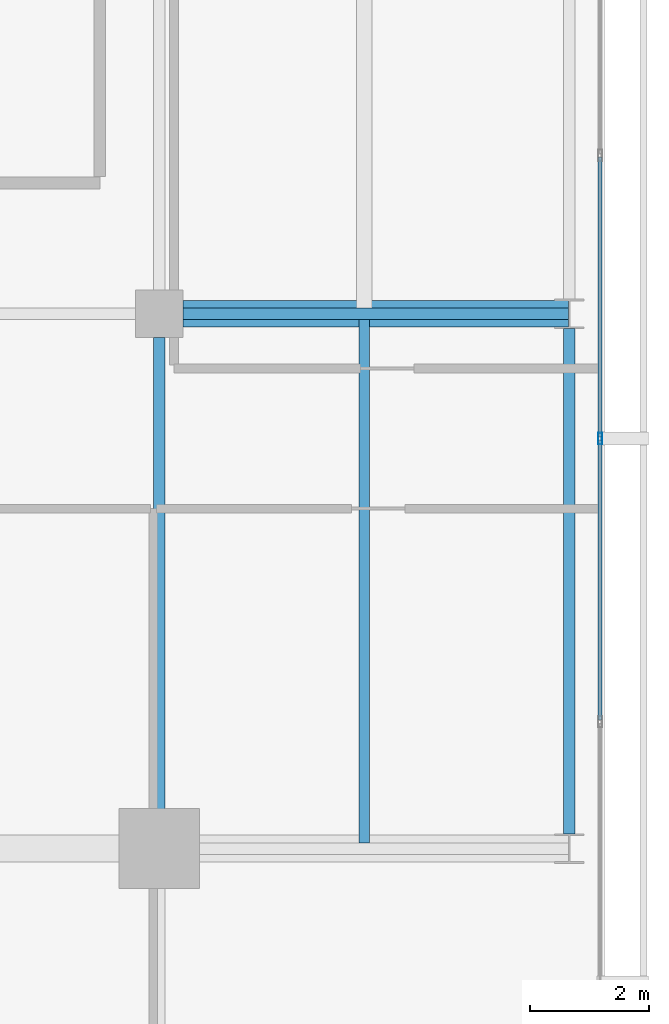
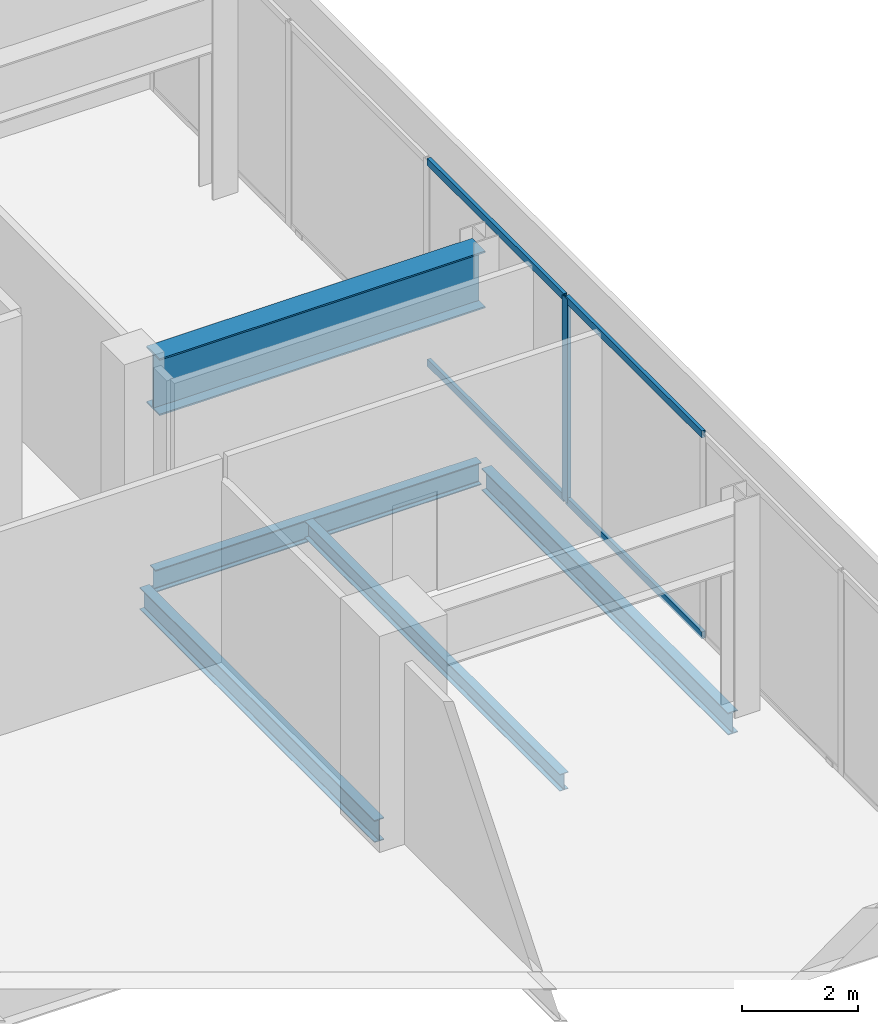
# One storey, part 12 of 23: 5 beams, 5 members, 1 element without a shape of its own.
"""IFC4 building model written with IfcOpenShell, lengths in metres."""

from ifc_helpers import new_model, si_unit, direction, frame, origin, origin_2d, place, context, subcontext, project, spatial, hollow_rectangle, i_section, extrude, material, layer, layer_set, material_profile, profile_set, type_object, element, aggregate, save


model = new_model("IFC4")

# Units and contexts
model_context = context("Model", 3, precision=1e-05, world=origin(), true_north=direction((0.0, 1.0)))
body_context = subcontext(model_context, "Body", "Model", "MODEL_VIEW")
ifc_project = project(units=[si_unit("LENGTHUNIT", "METRE"), si_unit("AREAUNIT", "SQUARE_METRE"), si_unit("VOLUMEUNIT", "CUBIC_METRE"), si_unit("PLANEANGLEUNIT", "RADIAN"), si_unit("MASSUNIT", "GRAM", prefix="KILO")], contexts=[model_context])

# Site, building, storey
site_placement = place(None, origin())
site = spatial("IfcSite", under=ifc_project, at=site_placement, CompositionType="ELEMENT")
building_placement = place(site_placement, origin())
building = spatial("IfcBuilding", under=site, at=building_placement, Name="Maruvema Waterfront Hotel and Observation Tower", CompositionType="ELEMENT")
storey_placement = place(building_placement, frame((0.0, 0.0, 349.64990234375)))
storey = spatial("IfcBuildingStorey", under=building, at=storey_placement, Name="L86", CompositionType="ELEMENT", Elevation=349.64990234375)

# Curtain wall, members
ifc_material_1 = material(Name="Anodised bronze aluminium and solar-control low-E IGU", Category="aluminium")
ifc_layer = layer(ifc_material_1, 0.159912109375, Name="Observation Crown Structural Glazed Curtain Wall System CW-06")
ifc_layer_set = layer_set([ifc_layer], Name="Anodised bronze aluminium and solar-control low-E IGU")
curtain_wall_type = type_object("IfcCurtainWallType", Name="Observation Crown Structural Glazed Curtain Wall System CW-06", PredefinedType="USERDEFINED", material=ifc_layer_set)
curtain_wall_placement = place(storey_placement, origin())
curtain_wall = element("IfcCurtainWall", 1, at=curtain_wall_placement, inside=storey, type_object=curtain_wall_type, Name="L86 Curtain Wall CW-L86-E", ObjectType="UNITISED CURTAIN WALL", PredefinedType="USERDEFINED")
ifc_material_2 = material(Name="Anodised architectural bronze aluminium", Category="aluminium")
ifc_material_profile_1 = material_profile(ifc_material_2, hollow_rectangle(XDim=0.070068359375, YDim=0.14990234375, WallThickness=0.00390625, at=origin_2d()), Name="ALU-T70x150")
ifc_profile_set_1 = profile_set([ifc_material_profile_1], Name="Anodised architectural bronze aluminium")
member_type_1 = type_object("IfcMemberType", Name="Curtain Wall Horizontal Transom ALU-T70x150", PredefinedType="USERDEFINED", material=ifc_profile_set_1)
member_1_placement = place(storey_placement, frame((57.820068359375, 29.163330078125, 0.030029296875), z_axis=(0.0, 1.0, 0.0), x_axis=(-1.0, 0.0, 0.0)))
member_1 = element("IfcMember", 2, at=member_1_placement, type_object=member_type_1, Name="CW-06 transom 3.1", ObjectType="TRANSOM", PredefinedType="USERDEFINED", context=body_context, shape_type="SweptSolid", body=[
    extrude(hollow_rectangle(XDim=0.070068359375, YDim=0.14990234375, WallThickness=0.00390625, at=origin_2d()), origin(), (0.0, 0.0, 1.0), 4.706787109375),
])
member_2_placement = place(storey_placement, frame((57.820068359375, 29.163330078125, 4.260009765625), z_axis=(0.0, 1.0, 0.0), x_axis=(-1.0, 0.0, 0.0)))
member_2 = element("IfcMember", 3, at=member_2_placement, type_object=member_type_1, Name="CW-06 transom 3.2", ObjectType="TRANSOM", PredefinedType="USERDEFINED", context=body_context, shape_type="SweptSolid", body=[
    extrude(hollow_rectangle(XDim=0.070068359375, YDim=0.14990234375, WallThickness=0.00390625, at=origin_2d()), origin(), (0.0, 0.0, 1.0), 4.706787109375),
])
member_3_placement = place(storey_placement, frame((57.820068359375, 33.929931640625, 0.030029296875), z_axis=(0.0, 1.0, 0.0), x_axis=(-1.0, 0.0, 0.0)))
member_3 = element("IfcMember", 4, at=member_3_placement, type_object=member_type_1, Name="CW-06 transom 4.1", ObjectType="TRANSOM", PredefinedType="USERDEFINED", context=body_context, shape_type="SweptSolid", body=[
    extrude(hollow_rectangle(XDim=0.070068359375, YDim=0.14990234375, WallThickness=0.00390625, at=origin_2d()), origin(), (0.0, 0.0, 1.0), 4.706787109375),
])
member_4_placement = place(storey_placement, frame((57.820068359375, 33.929931640625, 4.260009765625), z_axis=(0.0, 1.0, 0.0), x_axis=(-1.0, 0.0, 0.0)))
member_4 = element("IfcMember", 5, at=member_4_placement, type_object=member_type_1, Name="CW-06 transom 4.2", ObjectType="TRANSOM", PredefinedType="USERDEFINED", context=body_context, shape_type="SweptSolid", body=[
    extrude(hollow_rectangle(XDim=0.070068359375, YDim=0.14990234375, WallThickness=0.00390625, at=origin_2d()), origin(), (0.0, 0.0, 1.0), 4.706787109375),
])
ifc_material_3 = material(Name="Anodised architectural bronze aluminium", Category="aluminium")
ifc_material_profile_2 = material_profile(ifc_material_3, hollow_rectangle(XDim=0.070068359375, YDim=0.18994140625, WallThickness=0.00390625, at=origin_2d()), Name="ALU-M70x190")
ifc_profile_set_2 = profile_set([ifc_material_profile_2], Name="Anodised architectural bronze aluminium")
member_type_2 = type_object("IfcMemberType", Name="Podium Storefront Heavy Mullion ALU-M70x190", PredefinedType="MULLION", material=ifc_profile_set_2)
member_5_placement = place(storey_placement, frame((57.820068359375, 33.89990234375, 0.0), z_axis=(0.0, 0.0, 1.0), x_axis=(-1.0, 0.0, 0.0)))
member_5 = element("IfcMember", 6, at=member_5_placement, type_object=member_type_2, Name="CW-06 mullion 4", PredefinedType="MULLION", context=body_context, shape_type="SweptSolid", body=[
    extrude(hollow_rectangle(XDim=0.070068359375, YDim=0.18994140625, WallThickness=0.00390625, at=origin_2d()), origin(), (0.0, 0.0, 1.0), 4.2900390625),
])
aggregate(curtain_wall, [member_5, member_1, member_2, member_3, member_4])

# Beams
ifc_material_4 = material(Name="Steel ASTM A572 Grade 50", Category="steel")
ifc_material_profile_3 = material_profile(ifc_material_4, i_section(OverallWidth=0.194091796875, OverallDepth=0.468994140625, WebThickness=0.0126953125, FlangeThickness=0.0205078125, FilletRadius=0.014892578125, at=origin_2d()), Name="W460x106.0")
ifc_profile_set_3 = profile_set([ifc_material_profile_3], Name="Steel ASTM A572 Grade 50")
beam_type_1 = type_object("IfcBeamType", Name="Primary Floor Girder W460x106.0", PredefinedType="BEAM", material=ifc_profile_set_3)
beam_1_placement = place(storey_placement, frame((50.800048828125, 36.0, -0.474365234375), z_axis=(1.0, 0.0, 0.0), x_axis=(0.0, 1.0, 0.0)))
element("IfcBeam", 7, at=beam_1_placement, inside=storey, type_object=beam_type_1, Name="L86 Floor Girder EW-14", PredefinedType="BEAM", context=body_context, shape_type="SweptSolid", body=[
    extrude(i_section(OverallWidth=0.194091796875, OverallDepth=0.468994140625, WebThickness=0.0126953125, FlangeThickness=0.0205078125, FilletRadius=0.014892578125, at=origin_2d()), origin(), (0.0, 0.0, 1.0), 6.489013671875),
])
beam_2_placement = place(storey_placement, frame((50.39990234375, 27.5, -0.474365234375), z_axis=(0.0, 1.0, 0.0), x_axis=(-1.0, 0.0, 0.0)))
element("IfcBeam", 8, at=beam_2_placement, inside=storey, type_object=beam_type_1, Name="L86 Floor Girder NS-13", PredefinedType="BEAM", context=body_context, shape_type="SweptSolid", body=[
    extrude(i_section(OverallWidth=0.194091796875, OverallDepth=0.468994140625, WebThickness=0.0126953125, FlangeThickness=0.0205078125, FilletRadius=0.014892578125, at=origin_2d()), origin(), (0.0, 0.0, 1.0), 8.10009765625),
])
beam_3_placement = place(storey_placement, frame((57.300048828125, 27.25, -0.474365234375), z_axis=(0.0, 1.0, 0.0), x_axis=(-1.0, 0.0, 0.0)))
element("IfcBeam", 9, at=beam_3_placement, inside=storey, type_object=beam_type_1, Name="L86 Floor Girder NS-15", PredefinedType="BEAM", context=body_context, shape_type="SweptSolid", body=[
    extrude(i_section(OverallWidth=0.194091796875, OverallDepth=0.468994140625, WebThickness=0.0126953125, FlangeThickness=0.0205078125, FilletRadius=0.014892578125, at=origin_2d()), origin(), (0.0, 0.0, 1.0), 8.5),
])
ifc_material_5 = material(Name="Steel ASTM A572 Grade 50", Category="steel")
ifc_material_profile_4 = material_profile(ifc_material_5, i_section(OverallWidth=0.1708984375, OverallDepth=0.35498046875, WebThickness=0.007080078125, FlangeThickness=0.01171875, FilletRadius=0.014892578125, at=origin_2d()), Name="W360x51.0")
ifc_profile_set_4 = profile_set([ifc_material_profile_4], Name="Steel ASTM A572 Grade 50")
beam_type_2 = type_object("IfcBeamType", Name="Secondary Floor Joist W360x51.0", PredefinedType="JOIST", material=ifc_profile_set_4)
beam_4_placement = place(storey_placement, frame((53.85009765625, 27.096923828125, -0.41748046875), z_axis=(0.0, 1.0, 0.0), x_axis=(-1.0, 0.0, 0.0)))
element("IfcBeam", 10, at=beam_4_placement, inside=storey, type_object=beam_type_2, Name="L86 Secondary Floor Joist JS-06", PredefinedType="JOIST", context=body_context, shape_type="SweptSolid", body=[
    extrude(i_section(OverallWidth=0.1708984375, OverallDepth=0.35498046875, WebThickness=0.007080078125, FlangeThickness=0.01171875, FilletRadius=0.014892578125, at=origin_2d()), origin(), (0.0, 0.0, 1.0), 8.80615234375),
])
ifc_material_6 = material(Name="Steel ABNT NBR 7007 AR 415 (ASTM A572 Grade 50)", Category="steel")
ifc_material_profile_5 = material_profile(ifc_material_6, i_section(OverallWidth=0.449951171875, OverallDepth=1.199951171875, WebThickness=0.01904296875, FlangeThickness=0.031982421875, at=origin_2d()), Name="VS1200x366")
ifc_profile_set_5 = profile_set([ifc_material_profile_5], Name="Steel ABNT NBR 7007 AR 415 (ASTM A572 Grade 50)")
beam_type_3 = type_object("IfcBeamType", Name="Upper Setback Transfer Girder VS1200x366", PredefinedType="USERDEFINED", material=ifc_profile_set_5)
beam_5_placement = place(storey_placement, frame((50.800048828125, 36.0, 3.690185546875), z_axis=(1.0, 0.0, 0.0), x_axis=(0.0, 1.0, 0.0)))
element("IfcBeam", 11, at=beam_5_placement, inside=storey, type_object=beam_type_3, Name="L86 Upper Setback Transfer Girder E Y=36.0m", ObjectType="TRANSFER GIRDER", PredefinedType="USERDEFINED", context=body_context, shape_type="SweptSolid", body=[
    extrude(i_section(OverallWidth=0.449951171875, OverallDepth=1.199951171875, WebThickness=0.01904296875, FlangeThickness=0.031982421875, at=origin_2d()), origin(), (0.0, 0.0, 1.0), 6.489013671875),
])

save(model, "model.ifc")
